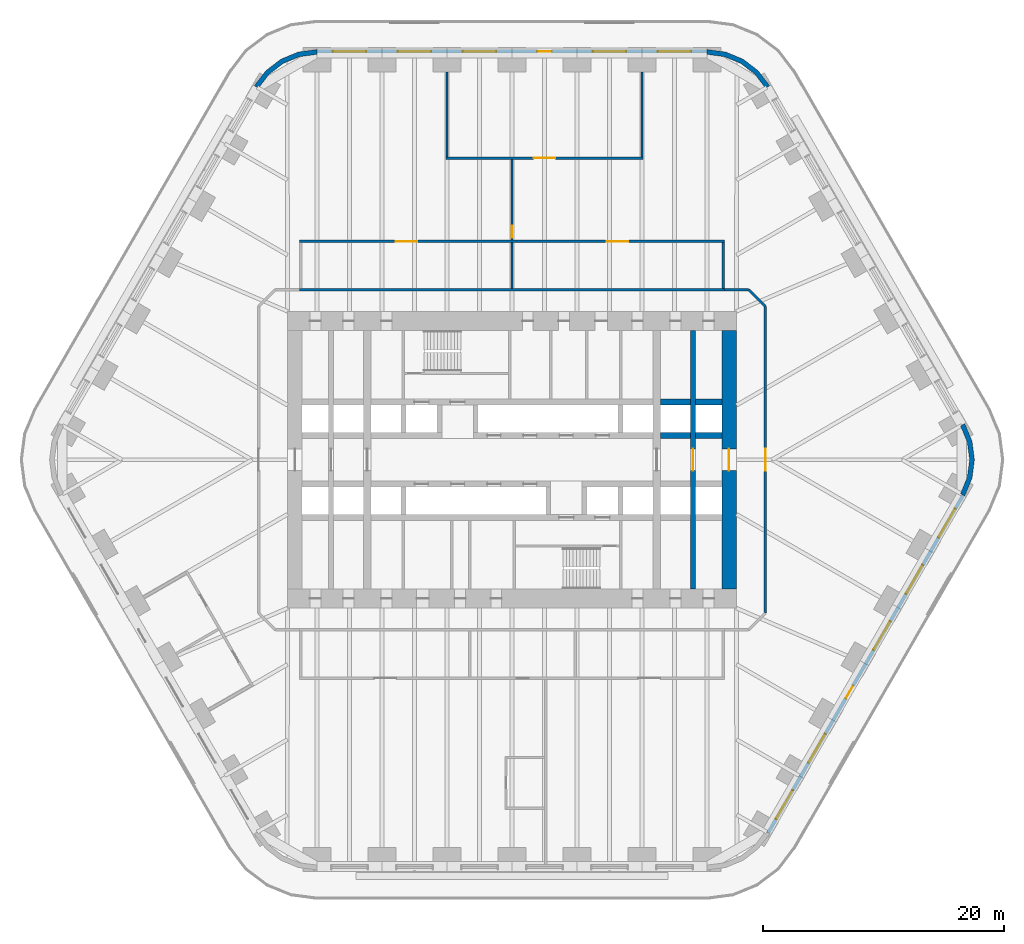
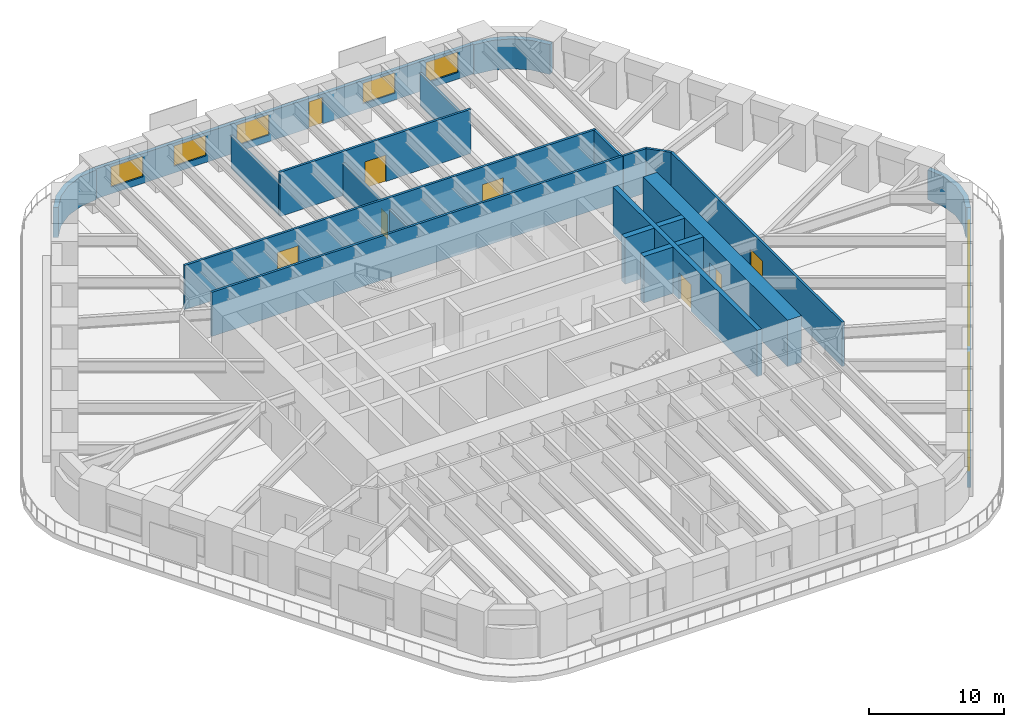
# One storey, part 19 of 23: 22 walls, 10 windows, 9 doors, 19 openings.
"""IFC4 building model written with IfcOpenShell, lengths in metres."""

from ifc_helpers import new_model, si_unit, direction, frame, frame_2d, origin, place, context, subcontext, project, spatial, polyline, rectangle, outline, extrude, material, layer, layer_set, type_object, element, fill, save


model = new_model("IFC4")

# Units and contexts
model_context = context("Model", 3, precision=1e-05, world=origin(), true_north=direction((0.0, 1.0)))
body_context = subcontext(model_context, "Body", "Model", "MODEL_VIEW")
ifc_project = project(units=[si_unit("LENGTHUNIT", "METRE"), si_unit("AREAUNIT", "SQUARE_METRE"), si_unit("VOLUMEUNIT", "CUBIC_METRE"), si_unit("PLANEANGLEUNIT", "RADIAN"), si_unit("MASSUNIT", "GRAM", prefix="KILO")], contexts=[model_context])

# Site, building, storey
site_placement = place(None, origin())
site = spatial("IfcSite", under=ifc_project, at=site_placement, CompositionType="ELEMENT")
building_placement = place(site_placement, origin())
building = spatial("IfcBuilding", under=site, at=building_placement, Name="Tarfa Lantern Tower", CompositionType="ELEMENT")
storey_placement = place(building_placement, frame((0.0, 0.0, 36.10009765625)))
storey = spatial("IfcBuildingStorey", under=building, at=storey_placement, Name="L07", CompositionType="ELEMENT", Elevation=36.10009765625)

# Wall, openings, door, windows
ifc_material_1 = material(Name="Limestone cladding on blockwork", Category="masonry")
ifc_layer_1 = layer(ifc_material_1, 0.300048828125)
ifc_layer_set_1 = layer_set([ifc_layer_1], Name="EW1 STONE-CLAD WALL 300")
wall_type_1 = type_object("IfcWallType", Name="EW1 STONE-CLAD WALL 300", PredefinedType="SOLIDWALL", material=ifc_layer_set_1)
wall_1_placement = place(storey_placement, frame((16.165771484375, 33.85009765625, 0.0), z_axis=(0.0, 0.0, 1.0), x_axis=(-1.0, 0.0, 0.0)))
wall_1 = element("IfcWall", 1, at=wall_1_placement, inside=storey, type_object=wall_type_1, Name="Stone wall N", PredefinedType="SOLIDWALL", context=body_context, shape_type="SweptSolid", body=[
    extrude(rectangle(XDim=32.33154296875, YDim=0.300048828125, at=frame_2d((16.165771484375, 0.0))), origin(), (0.0, 0.0, 1.0), 2.699951171875),
])
opening_1_placement = place(wall_1_placement, frame((1.3193359375, 0.0, 0.60009765625)))
opening_1 = element("IfcOpeningElement", 2, at=opening_1_placement, cuts=wall_1, Name="Opening W2", PredefinedType="OPENING", context=body_context, shape_type="SweptSolid", body=[
    extrude(rectangle(XDim=2.75, YDim=1.85009765625, at=frame_2d((1.375, 0.925048828125))), frame((0.0, 0.159912109375, 0.0), z_axis=(0.0, -1.0, 0.0), x_axis=(1.0, 0.0, 0.0)), (0.0, 0.0, 1.0), 0.320068359375),
])
opening_2_placement = place(wall_1_placement, frame((6.7080078125, 0.0, 0.60009765625)))
opening_2 = element("IfcOpeningElement", 3, at=opening_2_placement, cuts=wall_1, Name="Opening W2", PredefinedType="OPENING", context=body_context, shape_type="SweptSolid", body=[
    extrude(rectangle(XDim=2.75, YDim=1.85009765625, at=frame_2d((1.375, 0.925048828125))), frame((0.0, 0.159912109375, 0.0), z_axis=(0.0, -1.0, 0.0), x_axis=(1.0, 0.0, 0.0)), (0.0, 0.0, 1.0), 0.320068359375),
])
opening_3_placement = place(wall_1_placement, frame((12.87158203125, 0.0, 0.0)))
opening_3 = element("IfcOpeningElement", 4, at=opening_3_placement, cuts=wall_1, Name="Opening D41", PredefinedType="OPENING", context=body_context, shape_type="SweptSolid", body=[
    extrude(rectangle(XDim=1.199951171875, YDim=2.39990234375, at=frame_2d((0.60009765625, 1.199951171875))), frame((0.0, 0.159912109375, 0.0), z_axis=(0.0, -1.0, 0.0), x_axis=(1.0, 0.0, 0.0)), (0.0, 0.0, 1.0), 0.320068359375),
])
opening_4_placement = place(wall_1_placement, frame((17.485107421875, 0.0, 0.60009765625)))
opening_4 = element("IfcOpeningElement", 5, at=opening_4_placement, cuts=wall_1, Name="Opening W2", PredefinedType="OPENING", context=body_context, shape_type="SweptSolid", body=[
    extrude(rectangle(XDim=2.75, YDim=1.85009765625, at=frame_2d((1.375, 0.925048828125))), frame((0.0, 0.159912109375, 0.0), z_axis=(0.0, -1.0, 0.0), x_axis=(1.0, 0.0, 0.0)), (0.0, 0.0, 1.0), 0.320068359375),
])
opening_5_placement = place(wall_1_placement, frame((22.873779296875, 0.0, 0.60009765625)))
opening_5 = element("IfcOpeningElement", 6, at=opening_5_placement, cuts=wall_1, Name="Opening W2", PredefinedType="OPENING", context=body_context, shape_type="SweptSolid", body=[
    extrude(rectangle(XDim=2.75, YDim=1.85009765625, at=frame_2d((1.375, 0.925048828125))), frame((0.0, 0.159912109375, 0.0), z_axis=(0.0, -1.0, 0.0), x_axis=(1.0, 0.0, 0.0)), (0.0, 0.0, 1.0), 0.320068359375),
])
opening_6_placement = place(wall_1_placement, frame((28.26220703125, 0.0, 0.60009765625)))
opening_6 = element("IfcOpeningElement", 7, at=opening_6_placement, cuts=wall_1, Name="Opening W2", PredefinedType="OPENING", context=body_context, shape_type="SweptSolid", body=[
    extrude(rectangle(XDim=2.75, YDim=1.85009765625, at=frame_2d((1.375, 0.925048828125))), frame((0.0, 0.159912109375, 0.0), z_axis=(0.0, -1.0, 0.0), x_axis=(1.0, 0.0, 0.0)), (0.0, 0.0, 1.0), 0.320068359375),
])
ifc_material_2 = material(Name="Aluminium framed glazed door", Category="aluminium")
door_type_1 = type_object("IfcDoorType", Name="BE3 BALCONY DOOR 1200x2400", OperationType="SINGLE_SWING_RIGHT", PredefinedType="DOOR", material=ifc_material_2)
door_1_placement = place(opening_3_placement, origin())
door_1 = element("IfcDoor", 8, at=door_1_placement, inside=storey, type_object=door_type_1, Name="Balcony door N", OperationType="SINGLE_SWING_RIGHT", OverallHeight=2.39990234375, OverallWidth=1.199951171875, PredefinedType="DOOR", context=body_context, shape_type="SweptSolid", body=[
    extrude(rectangle(XDim=1.199951171875, YDim=2.39990234375, at=frame_2d((0.60009765625, 1.199951171875))), frame((0.0, 0.02490234375, 0.0), z_axis=(0.0, -1.0, 0.0), x_axis=(1.0, 0.0, 0.0)), (0.0, 0.0, 1.0), 0.050048828125),
])
fill(opening_3, door_1)
ifc_material_3 = material(Name="Aluminium frame, double glazed", Category="aluminium")
window_type = type_object("IfcWindowType", Name="W2 FULL-HEIGHT GLAZING 2750x1850", PartitioningType="SINGLE_PANEL", PredefinedType="WINDOW", material=ifc_material_3)
window_1_placement = place(opening_1_placement, origin())
window_1 = element("IfcWindow", 9, at=window_1_placement, inside=storey, type_object=window_type, Name="Window N 1", OverallHeight=1.85009765625, OverallWidth=2.75, PartitioningType="SINGLE_PANEL", PredefinedType="WINDOW", context=body_context, shape_type="SweptSolid", body=[
    extrude(rectangle(XDim=2.75, YDim=1.85009765625, at=frame_2d((1.375, 0.925048828125))), frame((0.0, 0.030029296875, 0.0), z_axis=(0.0, -1.0, 0.0), x_axis=(1.0, 0.0, 0.0)), (0.0, 0.0, 1.0), 0.06005859375),
])
fill(opening_1, window_1)
window_2_placement = place(opening_2_placement, origin())
window_2 = element("IfcWindow", 10, at=window_2_placement, inside=storey, type_object=window_type, Name="Window N 2", OverallHeight=1.85009765625, OverallWidth=2.75, PartitioningType="SINGLE_PANEL", PredefinedType="WINDOW", context=body_context, shape_type="SweptSolid", body=[
    extrude(rectangle(XDim=2.75, YDim=1.85009765625, at=frame_2d((1.375, 0.925048828125))), frame((0.0, 0.030029296875, 0.0), z_axis=(0.0, -1.0, 0.0), x_axis=(1.0, 0.0, 0.0)), (0.0, 0.0, 1.0), 0.06005859375),
])
fill(opening_2, window_2)
window_3_placement = place(opening_4_placement, origin())
window_3 = element("IfcWindow", 11, at=window_3_placement, inside=storey, type_object=window_type, Name="Window N 4", OverallHeight=1.85009765625, OverallWidth=2.75, PartitioningType="SINGLE_PANEL", PredefinedType="WINDOW", context=body_context, shape_type="SweptSolid", body=[
    extrude(rectangle(XDim=2.75, YDim=1.85009765625, at=frame_2d((1.375, 0.925048828125))), frame((0.0, 0.030029296875, 0.0), z_axis=(0.0, -1.0, 0.0), x_axis=(1.0, 0.0, 0.0)), (0.0, 0.0, 1.0), 0.06005859375),
])
fill(opening_4, window_3)
window_4_placement = place(opening_5_placement, origin())
window_4 = element("IfcWindow", 12, at=window_4_placement, inside=storey, type_object=window_type, Name="Window N 5", OverallHeight=1.85009765625, OverallWidth=2.75, PartitioningType="SINGLE_PANEL", PredefinedType="WINDOW", context=body_context, shape_type="SweptSolid", body=[
    extrude(rectangle(XDim=2.75, YDim=1.85009765625, at=frame_2d((1.375, 0.925048828125))), frame((0.0, 0.030029296875, 0.0), z_axis=(0.0, -1.0, 0.0), x_axis=(1.0, 0.0, 0.0)), (0.0, 0.0, 1.0), 0.06005859375),
])
fill(opening_5, window_4)
window_5_placement = place(opening_6_placement, origin())
window_5 = element("IfcWindow", 13, at=window_5_placement, inside=storey, type_object=window_type, Name="Window N 6", OverallHeight=1.85009765625, OverallWidth=2.75, PartitioningType="SINGLE_PANEL", PredefinedType="WINDOW", context=body_context, shape_type="SweptSolid", body=[
    extrude(rectangle(XDim=2.75, YDim=1.85009765625, at=frame_2d((1.375, 0.925048828125))), frame((0.0, 0.030029296875, 0.0), z_axis=(0.0, -1.0, 0.0), x_axis=(1.0, 0.0, 0.0)), (0.0, 0.0, 1.0), 0.06005859375),
])
fill(opening_6, window_5)

wall_2_placement = place(storey_placement, frame((21.232177734375, -30.925048828125, 0.0), z_axis=(0.0, 0.0, 1.0), x_axis=(0.499999163675, 0.866025886636, 0.0)))
wall_2 = element("IfcWall", 14, at=wall_2_placement, inside=storey, type_object=wall_type_1, Name="Stone wall SE", PredefinedType="SOLIDWALL", context=body_context, shape_type="SweptSolid", body=[
    extrude(rectangle(XDim=32.33154296875, YDim=0.300048828125, at=frame_2d((16.165771484375, 0.0))), origin(), (0.0, 0.0, 1.0), 2.699951171875),
])
opening_7_placement = place(wall_2_placement, frame((1.3193359375, 0.0, 0.60009765625)))
opening_7 = element("IfcOpeningElement", 15, at=opening_7_placement, cuts=wall_2, Name="Opening W2", PredefinedType="OPENING", context=body_context, shape_type="SweptSolid", body=[
    extrude(rectangle(XDim=2.75, YDim=1.85009765625, at=frame_2d((1.375, 0.925048828125))), frame((0.0, 0.159912109375, 0.0), z_axis=(0.0, -1.0, 0.0), x_axis=(1.0, 0.0, 0.0)), (0.0, 0.0, 1.0), 0.320068359375),
])
opening_8_placement = place(wall_2_placement, frame((6.7080078125, 0.0, 0.60009765625)))
opening_8 = element("IfcOpeningElement", 16, at=opening_8_placement, cuts=wall_2, Name="Opening W2", PredefinedType="OPENING", context=body_context, shape_type="SweptSolid", body=[
    extrude(rectangle(XDim=2.75, YDim=1.85009765625, at=frame_2d((1.375, 0.925048828125))), frame((0.0, 0.159912109375, 0.0), z_axis=(0.0, -1.0, 0.0), x_axis=(1.0, 0.0, 0.0)), (0.0, 0.0, 1.0), 0.320068359375),
])
opening_9_placement = place(wall_2_placement, frame((12.87158203125, 0.0, 0.0)))
opening_9 = element("IfcOpeningElement", 17, at=opening_9_placement, cuts=wall_2, Name="Opening D42", PredefinedType="OPENING", context=body_context, shape_type="SweptSolid", body=[
    extrude(rectangle(XDim=1.199951171875, YDim=2.39990234375, at=frame_2d((0.60009765625, 1.199951171875))), frame((0.0, 0.159912109375, 0.0), z_axis=(0.0, -1.0, 0.0), x_axis=(1.0, 0.0, 0.0)), (0.0, 0.0, 1.0), 0.320068359375),
])
opening_10_placement = place(wall_2_placement, frame((17.485107421875, 0.0, 0.60009765625)))
opening_10 = element("IfcOpeningElement", 18, at=opening_10_placement, cuts=wall_2, Name="Opening W2", PredefinedType="OPENING", context=body_context, shape_type="SweptSolid", body=[
    extrude(rectangle(XDim=2.75, YDim=1.85009765625, at=frame_2d((1.375, 0.925048828125))), frame((0.0, 0.159912109375, 0.0), z_axis=(0.0, -1.0, 0.0), x_axis=(1.0, 0.0, 0.0)), (0.0, 0.0, 1.0), 0.320068359375),
])
opening_11_placement = place(wall_2_placement, frame((22.873779296875, 0.0, 0.60009765625)))
opening_11 = element("IfcOpeningElement", 19, at=opening_11_placement, cuts=wall_2, Name="Opening W2", PredefinedType="OPENING", context=body_context, shape_type="SweptSolid", body=[
    extrude(rectangle(XDim=2.75, YDim=1.85009765625, at=frame_2d((1.375, 0.925048828125))), frame((0.0, 0.159912109375, 0.0), z_axis=(0.0, -1.0, 0.0), x_axis=(1.0, 0.0, 0.0)), (0.0, 0.0, 1.0), 0.320068359375),
])
opening_12_placement = place(wall_2_placement, frame((28.26220703125, 0.0, 0.60009765625)))
opening_12 = element("IfcOpeningElement", 20, at=opening_12_placement, cuts=wall_2, Name="Opening W2", PredefinedType="OPENING", context=body_context, shape_type="SweptSolid", body=[
    extrude(rectangle(XDim=2.75, YDim=1.85009765625, at=frame_2d((1.375, 0.925048828125))), frame((0.0, 0.159912109375, 0.0), z_axis=(0.0, -1.0, 0.0), x_axis=(1.0, 0.0, 0.0)), (0.0, 0.0, 1.0), 0.320068359375),
])
door_2_placement = place(opening_9_placement, origin())
door_2 = element("IfcDoor", 21, at=door_2_placement, inside=storey, type_object=door_type_1, Name="Balcony door SE", OperationType="SINGLE_SWING_RIGHT", OverallHeight=2.39990234375, OverallWidth=1.199951171875, PredefinedType="DOOR", context=body_context, shape_type="SweptSolid", body=[
    extrude(rectangle(XDim=1.199951171875, YDim=2.39990234375, at=frame_2d((0.60009765625, 1.199951171875))), frame((0.0, 0.02490234375, 0.0), z_axis=(0.0, -1.0, 0.0), x_axis=(1.0, 0.0, 0.0)), (0.0, 0.0, 1.0), 0.050048828125),
])
fill(opening_9, door_2)
window_6_placement = place(opening_7_placement, origin())
window_6 = element("IfcWindow", 22, at=window_6_placement, inside=storey, type_object=window_type, Name="Window SE 1", OverallHeight=1.85009765625, OverallWidth=2.75, PartitioningType="SINGLE_PANEL", PredefinedType="WINDOW", context=body_context, shape_type="SweptSolid", body=[
    extrude(rectangle(XDim=2.75, YDim=1.85009765625, at=frame_2d((1.375, 0.925048828125))), frame((0.0, 0.030029296875, 0.0), z_axis=(0.0, -1.0, 0.0), x_axis=(1.0, 0.0, 0.0)), (0.0, 0.0, 1.0), 0.06005859375),
])
fill(opening_7, window_6)
window_7_placement = place(opening_8_placement, origin())
window_7 = element("IfcWindow", 23, at=window_7_placement, inside=storey, type_object=window_type, Name="Window SE 2", OverallHeight=1.85009765625, OverallWidth=2.75, PartitioningType="SINGLE_PANEL", PredefinedType="WINDOW", context=body_context, shape_type="SweptSolid", body=[
    extrude(rectangle(XDim=2.75, YDim=1.85009765625, at=frame_2d((1.375, 0.925048828125))), frame((0.0, 0.030029296875, 0.0), z_axis=(0.0, -1.0, 0.0), x_axis=(1.0, 0.0, 0.0)), (0.0, 0.0, 1.0), 0.06005859375),
])
fill(opening_8, window_7)
window_8_placement = place(opening_10_placement, origin())
window_8 = element("IfcWindow", 24, at=window_8_placement, inside=storey, type_object=window_type, Name="Window SE 4", OverallHeight=1.85009765625, OverallWidth=2.75, PartitioningType="SINGLE_PANEL", PredefinedType="WINDOW", context=body_context, shape_type="SweptSolid", body=[
    extrude(rectangle(XDim=2.75, YDim=1.85009765625, at=frame_2d((1.375, 0.925048828125))), frame((0.0, 0.030029296875, 0.0), z_axis=(0.0, -1.0, 0.0), x_axis=(1.0, 0.0, 0.0)), (0.0, 0.0, 1.0), 0.06005859375),
])
fill(opening_10, window_8)
window_9_placement = place(opening_11_placement, origin())
window_9 = element("IfcWindow", 25, at=window_9_placement, inside=storey, type_object=window_type, Name="Window SE 5", OverallHeight=1.85009765625, OverallWidth=2.75, PartitioningType="SINGLE_PANEL", PredefinedType="WINDOW", context=body_context, shape_type="SweptSolid", body=[
    extrude(rectangle(XDim=2.75, YDim=1.85009765625, at=frame_2d((1.375, 0.925048828125))), frame((0.0, 0.030029296875, 0.0), z_axis=(0.0, -1.0, 0.0), x_axis=(1.0, 0.0, 0.0)), (0.0, 0.0, 1.0), 0.06005859375),
])
fill(opening_11, window_9)
window_10_placement = place(opening_12_placement, origin())
window_10 = element("IfcWindow", 26, at=window_10_placement, inside=storey, type_object=window_type, Name="Window SE 6", OverallHeight=1.85009765625, OverallWidth=2.75, PartitioningType="SINGLE_PANEL", PredefinedType="WINDOW", context=body_context, shape_type="SweptSolid", body=[
    extrude(rectangle(XDim=2.75, YDim=1.85009765625, at=frame_2d((1.375, 0.925048828125))), frame((0.0, 0.030029296875, 0.0), z_axis=(0.0, -1.0, 0.0), x_axis=(1.0, 0.0, 0.0)), (0.0, 0.0, 1.0), 0.06005859375),
])
fill(opening_12, window_10)

# Walls
ifc_layer_2 = layer(ifc_material_1, 0.39990234375)
ifc_layer_set_2 = layer_set([ifc_layer_2], Name="EW2 CURVED STONE CORNER 400")
wall_type_2 = type_object("IfcWallType", Name="EW2 CURVED STONE CORNER 400", PredefinedType="SOLIDWALL", material=ifc_layer_set_2)
wall_3_placement = place(storey_placement, origin())
element("IfcWall", 27, at=wall_3_placement, inside=storey, type_object=wall_type_2, Name="Stone corner NE-N", PredefinedType="SOLIDWALL", context=body_context, shape_type="SweptSolid", body=[
    extrude(outline(polyline([(21.362060546875, 31.0), (20.408447265625, 32.24267578125), (19.165771484375, 33.196044921875), (17.71875, 33.795654296875), (16.165771484375, 34.0), (16.165771484375, 33.60009765625), (17.615234375, 33.4091796875), (18.9658203125, 32.849853515625), (20.12548828125, 31.959716796875), (21.015625, 30.800048828125), (21.362060546875, 31.0)])), origin(), (0.0, 0.0, 1.0), 2.699951171875),
])
wall_4_placement = place(storey_placement, origin())
element("IfcWall", 28, at=wall_4_placement, inside=storey, type_object=wall_type_2, Name="Stone corner N-NW", PredefinedType="SOLIDWALL", context=body_context, shape_type="SweptSolid", body=[
    extrude(outline(polyline([(-16.165771484375, 34.0), (-17.71875, 33.795654296875), (-19.165771484375, 33.196044921875), (-20.408447265625, 32.24267578125), (-21.362060546875, 31.0), (-21.015625, 30.800048828125), (-20.12548828125, 31.959716796875), (-18.9658203125, 32.849853515625), (-17.615234375, 33.4091796875), (-16.165771484375, 33.60009765625), (-16.165771484375, 34.0)])), origin(), (0.0, 0.0, 1.0), 2.699951171875),
])
wall_5_placement = place(storey_placement, origin())
element("IfcWall", 29, at=wall_5_placement, inside=storey, type_object=wall_type_2, Name="Stone corner SE-NE", PredefinedType="SOLIDWALL", context=body_context, shape_type="SweptSolid", body=[
    extrude(outline(polyline([(37.52783203125, -3.0), (38.127197265625, -1.552978515625), (38.33154296875, 0.0), (38.127197265625, 1.552978515625), (37.52783203125, 3.0), (37.181396484375, 2.800048828125), (37.74072265625, 1.449462890625), (37.931640625, 0.0), (37.74072265625, -1.449462890625), (37.181396484375, -2.800048828125), (37.52783203125, -3.0)])), origin(), (0.0, 0.0, 1.0), 2.699951171875),
])
ifc_material_4 = material(Name="Gypsum board on steel studs", Category="steel")
ifc_layer_3 = layer(ifc_material_4, 0.2099609375)
ifc_layer_set_3 = layer_set([ifc_layer_3], Name="IW2 ACOUSTIC PARTITION 200")
wall_type_3 = type_object("IfcWallType", Name="IW2 ACOUSTIC PARTITION 200", PredefinedType="PARTITIONING", material=ifc_layer_set_3)
wall_6_placement = place(storey_placement, frame((-17.60009765625, 14.10009765625, 0.0), z_axis=(0.0, 0.0, 1.0), x_axis=(1.0, 0.0, 0.0)))
element("IfcWall", 30, at=wall_6_placement, inside=storey, type_object=wall_type_3, Name="Partition", PredefinedType="PARTITIONING", context=body_context, shape_type="SweptSolid", body=[
    extrude(rectangle(XDim=35.2001953125, YDim=0.199951171875, at=frame_2d((17.60009765625, 0.0))), origin(), (0.0, 0.0, 1.0), 4.0),
])

# Wall, openings, doors
wall_7_placement = place(storey_placement, frame((-17.60009765625, 18.10009765625, 0.0), z_axis=(0.0, 0.0, 1.0), x_axis=(1.0, 0.0, 0.0)))
wall_7 = element("IfcWall", 31, at=wall_7_placement, inside=storey, type_object=wall_type_3, Name="Partition", PredefinedType="PARTITIONING", context=body_context, shape_type="SweptSolid", body=[
    extrude(rectangle(XDim=35.2001953125, YDim=0.199951171875, at=frame_2d((17.60009765625, 0.0))), origin(), (0.0, 0.0, 1.0), 4.0),
])
opening_13_placement = place(wall_7_placement, frame((7.949951171875, 0.0, 0.0)))
opening_13 = element("IfcOpeningElement", 32, at=opening_13_placement, cuts=wall_7, Name="Opening D32", PredefinedType="OPENING", context=body_context, shape_type="SweptSolid", body=[
    extrude(rectangle(XDim=1.800048828125, YDim=2.39990234375, at=frame_2d((0.89990234375, 1.199951171875))), frame((0.0, 0.10986328125, 0.0), z_axis=(0.0, -1.0, 0.0), x_axis=(1.0, 0.0, 0.0)), (0.0, 0.0, 1.0), 0.219970703125),
])
opening_14_placement = place(wall_7_placement, frame((25.449951171875, 0.0, 0.0)))
opening_14 = element("IfcOpeningElement", 33, at=opening_14_placement, cuts=wall_7, Name="Opening D33", PredefinedType="OPENING", context=body_context, shape_type="SweptSolid", body=[
    extrude(rectangle(XDim=1.800048828125, YDim=2.39990234375, at=frame_2d((0.89990234375, 1.199951171875))), frame((0.0, 0.10986328125, 0.0), z_axis=(0.0, -1.0, 0.0), x_axis=(1.0, 0.0, 0.0)), (0.0, 0.0, 1.0), 0.219970703125),
])
ifc_material_5 = material(Name="Timber door", Category="wood")
door_type_2 = type_object("IfcDoorType", Name="DR2 ROOM DOOR 1800x2400", OperationType="DOUBLE_DOOR_SINGLE_SWING", PredefinedType="DOOR", material=ifc_material_5)
door_3_placement = place(opening_13_placement, frame((1.800048828125, 0.0, 0.0), z_axis=(0.0, 0.0, 1.0), x_axis=(-1.0, 0.0, 0.0)))
door_3 = element("IfcDoor", 34, at=door_3_placement, inside=storey, type_object=door_type_2, Name="Meeting room door", OperationType="DOUBLE_DOOR_SINGLE_SWING", OverallHeight=2.39990234375, OverallWidth=1.800048828125, PredefinedType="DOOR", context=body_context, shape_type="SweptSolid", body=[
    extrude(rectangle(XDim=1.800048828125, YDim=2.39990234375, at=frame_2d((0.89990234375, 1.199951171875))), frame((0.0, 0.02490234375, 0.0), z_axis=(0.0, -1.0, 0.0), x_axis=(1.0, 0.0, 0.0)), (0.0, 0.0, 1.0), 0.050048828125),
])
fill(opening_13, door_3)
door_4_placement = place(opening_14_placement, frame((1.800048828125, 0.0, 0.0), z_axis=(0.0, 0.0, 1.0), x_axis=(-1.0, 0.0, 0.0)))
door_4 = element("IfcDoor", 35, at=door_4_placement, inside=storey, type_object=door_type_2, Name="Shift office door", OperationType="DOUBLE_DOOR_SINGLE_SWING", OverallHeight=2.39990234375, OverallWidth=1.800048828125, PredefinedType="DOOR", context=body_context, shape_type="SweptSolid", body=[
    extrude(rectangle(XDim=1.800048828125, YDim=2.39990234375, at=frame_2d((0.89990234375, 1.199951171875))), frame((0.0, 0.02490234375, 0.0), z_axis=(0.0, -1.0, 0.0), x_axis=(1.0, 0.0, 0.0)), (0.0, 0.0, 1.0), 0.050048828125),
])
fill(opening_14, door_4)

# Walls
wall_8_placement = place(storey_placement, frame((0.0, 14.199951171875, 0.0), z_axis=(0.0, 0.0, 1.0), x_axis=(0.0, 1.0, 0.0)))
element("IfcWall", 36, at=wall_8_placement, inside=storey, type_object=wall_type_3, Name="Partition", PredefinedType="PARTITIONING", context=body_context, shape_type="SweptSolid", body=[
    extrude(rectangle(XDim=3.800048828125, YDim=0.199951171875, at=frame_2d((1.89990234375, 0.0))), origin(), (0.0, 0.0, 1.0), 2.94384765625),
])
wall_9_placement = place(storey_placement, frame((17.5, 14.199951171875, 0.0), z_axis=(0.0, 0.0, 1.0), x_axis=(0.0, 1.0, 0.0)))
element("IfcWall", 37, at=wall_9_placement, inside=storey, type_object=wall_type_3, Name="Partition", PredefinedType="PARTITIONING", context=body_context, shape_type="SweptSolid", body=[
    extrude(rectangle(XDim=3.800048828125, YDim=0.199951171875, at=frame_2d((1.89990234375, 0.0))), origin(), (0.0, 0.0, 1.0), 4.0),
])

# Wall, opening, door
wall_10_placement = place(storey_placement, frame((10.877197265625, 25.0, 0.0), z_axis=(0.0, 0.0, 1.0), x_axis=(-1.0, 0.0, 0.0)))
wall_10 = element("IfcWall", 38, at=wall_10_placement, inside=storey, type_object=wall_type_3, Name="Partition", PredefinedType="PARTITIONING", context=body_context, shape_type="SweptSolid", body=[
    extrude(rectangle(XDim=16.36572265625, YDim=0.199951171875, at=frame_2d((8.182861328125, 0.0))), origin(), (0.0, 0.0, 1.0), 4.0),
])
opening_15_placement = place(wall_10_placement, frame((7.282958984375, 0.0, 0.0)))
opening_15 = element("IfcOpeningElement", 39, at=opening_15_placement, cuts=wall_10, Name="Opening D29", PredefinedType="OPENING", context=body_context, shape_type="SweptSolid", body=[
    extrude(rectangle(XDim=1.800048828125, YDim=2.39990234375, at=frame_2d((0.89990234375, 1.199951171875))), frame((0.0, 0.10986328125, 0.0), z_axis=(0.0, -1.0, 0.0), x_axis=(1.0, 0.0, 0.0)), (0.0, 0.0, 1.0), 0.219970703125),
])
door_5_placement = place(opening_15_placement, frame((1.800048828125, 0.0, 0.0), z_axis=(0.0, 0.0, 1.0), x_axis=(-1.0, 0.0, 0.0)))
door_5 = element("IfcDoor", 40, at=door_5_placement, inside=storey, type_object=door_type_2, Name="Operations control room door", OperationType="DOUBLE_DOOR_SINGLE_SWING", OverallHeight=2.39990234375, OverallWidth=1.800048828125, PredefinedType="DOOR", context=body_context, shape_type="SweptSolid", body=[
    extrude(rectangle(XDim=1.800048828125, YDim=2.39990234375, at=frame_2d((0.89990234375, 1.199951171875))), frame((0.0, 0.02490234375, 0.0), z_axis=(0.0, -1.0, 0.0), x_axis=(1.0, 0.0, 0.0)), (0.0, 0.0, 1.0), 0.050048828125),
])
fill(opening_15, door_5)

# Walls
for number, where, z_axis, x_axis, name in (
    (41, (10.777099609375, 25.10009765625, 0.0), (0.0, 0.0, 1.0), (0.0, 1.0, 0.0), "Partition"),
    (42, (-5.388671875, 25.10009765625, 0.0), (0.0, 0.0, 1.0), (0.0, 1.0, 0.0), "Partition"),
):
    element("IfcWall", number, at=place(storey_placement, frame(where, z_axis=z_axis, x_axis=x_axis)), inside=storey, type_object=wall_type_3, Name=name, PredefinedType="PARTITIONING", context=body_context, shape_type="SweptSolid", body=[
        extrude(rectangle(XDim=7.0498046875, YDim=0.199951171875, at=frame_2d((3.52490234375, 0.0))), origin(), (0.0, 0.0, 1.0), 2.94384765625),
    ])
wall_11_placement = place(storey_placement, frame((17.60009765625, 14.10009765625, 0.0), z_axis=(0.0, 0.0, 1.0), x_axis=(1.0, 0.0, 0.0)))
element("IfcWall", 43, at=wall_11_placement, inside=storey, type_object=wall_type_3, Name="Partition", PredefinedType="PARTITIONING", context=body_context, shape_type="SweptSolid", body=[
    extrude(rectangle(XDim=2.0, YDim=0.199951171875, at=frame_2d((1.0, 0.0))), origin(), (0.0, 0.0, 1.0), 4.0),
])
wall_12_placement = place(storey_placement, frame((19.60009765625, 14.10009765625, 0.0), z_axis=(0.0, 0.0, 1.0), x_axis=(0.707045124756, -0.707168432242, 0.0)))
element("IfcWall", 44, at=wall_12_placement, inside=storey, type_object=wall_type_3, Name="Partition", PredefinedType="PARTITIONING", context=body_context, shape_type="SweptSolid", body=[
    extrude(rectangle(XDim=1.97998046875, YDim=0.199951171875, at=frame_2d((0.989990234375, 0.0))), origin(), (0.0, 0.0, 1.0), 4.0),
])

# Wall, opening, door
wall_13_placement = place(storey_placement, frame((21.0, 12.699951171875, 0.0), z_axis=(0.0, 0.0, 1.0), x_axis=(0.0, -1.0, 0.0)))
wall_13 = element("IfcWall", 45, at=wall_13_placement, inside=storey, type_object=wall_type_3, Name="Partition", PredefinedType="PARTITIONING", context=body_context, shape_type="SweptSolid", body=[
    extrude(rectangle(XDim=25.39990234375, YDim=0.199951171875, at=frame_2d((12.699951171875, 0.0))), origin(), (0.0, 0.0, 1.0), 4.0),
])
opening_16_placement = place(wall_13_placement, frame((11.800048828125, 0.0, 0.0)))
opening_16 = element("IfcOpeningElement", 46, at=opening_16_placement, cuts=wall_13, Name="Opening D38", PredefinedType="OPENING", context=body_context, shape_type="SweptSolid", body=[
    extrude(rectangle(XDim=1.800048828125, YDim=2.39990234375, at=frame_2d((0.89990234375, 1.199951171875))), frame((0.0, 0.10986328125, 0.0), z_axis=(0.0, -1.0, 0.0), x_axis=(1.0, 0.0, 0.0)), (0.0, 0.0, 1.0), 0.219970703125),
])
door_6_placement = place(opening_16_placement, origin())
door_6 = element("IfcDoor", 47, at=door_6_placement, inside=storey, type_object=door_type_2, Name="Corridor door", OperationType="DOUBLE_DOOR_SINGLE_SWING", OverallHeight=2.39990234375, OverallWidth=1.800048828125, PredefinedType="DOOR", context=body_context, shape_type="SweptSolid", body=[
    extrude(rectangle(XDim=1.800048828125, YDim=2.39990234375, at=frame_2d((0.89990234375, 1.199951171875))), frame((0.0, 0.02490234375, 0.0), z_axis=(0.0, -1.0, 0.0), x_axis=(1.0, 0.0, 0.0)), (0.0, 0.0, 1.0), 0.050048828125),
])
fill(opening_16, door_6)

wall_14_placement = place(storey_placement, frame((0.0, 18.199951171875, 0.0), z_axis=(0.0, 0.0, 1.0), x_axis=(0.0, 1.0, 0.0)))
wall_14 = element("IfcWall", 48, at=wall_14_placement, inside=storey, type_object=wall_type_3, Name="Partition", PredefinedType="PARTITIONING", context=body_context, shape_type="SweptSolid", body=[
    extrude(rectangle(XDim=6.699951171875, YDim=0.199951171875, at=frame_2d((3.35009765625, 0.0))), origin(), (0.0, 0.0, 1.0), 2.94384765625),
])
opening_17_placement = place(wall_14_placement, frame((0.199951171875, 0.0, 0.0)))
opening_17 = element("IfcOpeningElement", 49, at=opening_17_placement, cuts=wall_14, Name="Opening D40", PredefinedType="OPENING", context=body_context, shape_type="SweptSolid", body=[
    extrude(rectangle(XDim=1.0, YDim=2.199951171875, at=frame_2d((0.5, 1.10009765625))), frame((0.0, 0.10986328125, 0.0), z_axis=(0.0, -1.0, 0.0), x_axis=(1.0, 0.0, 0.0)), (0.0, 0.0, 1.0), 0.219970703125),
])
door_type_3 = type_object("IfcDoorType", Name="DR1 ROOM DOOR 1000x2200", OperationType="SINGLE_SWING_LEFT", PredefinedType="DOOR", material=ifc_material_5)
door_7_placement = place(opening_17_placement, frame((1.0, 0.0, 0.0), z_axis=(0.0, 0.0, 1.0), x_axis=(-1.0, 0.0, 0.0)))
door_7 = element("IfcDoor", 50, at=door_7_placement, inside=storey, type_object=door_type_3, Name="Zone door", OperationType="SINGLE_SWING_LEFT", OverallHeight=2.199951171875, OverallWidth=1.0, PredefinedType="DOOR", context=body_context, shape_type="SweptSolid", body=[
    extrude(rectangle(XDim=1.0, YDim=2.199951171875, at=frame_2d((0.5, 1.10009765625))), frame((0.0, 0.02490234375, 0.0), z_axis=(0.0, -1.0, 0.0), x_axis=(1.0, 0.0, 0.0)), (0.0, 0.0, 1.0), 0.050048828125),
])
fill(opening_17, door_7)

ifc_material_6 = material(Name="Concrete C80/95", Category="concrete")
ifc_layer_4 = layer(ifc_material_6, 1.199951171875)
ifc_layer_set_4 = layer_set([ifc_layer_4], Name="SW1 CORE WALL 1200")
wall_type_4 = type_object("IfcWallType", Name="SW1 CORE WALL 1200", PredefinedType="SHEAR", material=ifc_layer_set_4)
wall_15_placement = place(storey_placement, frame((18.0, -10.699951171875, 0.0), z_axis=(0.0, 0.0, 1.0), x_axis=(0.0, 1.0, 0.0)))
wall_15 = element("IfcWall", 51, at=wall_15_placement, inside=storey, type_object=wall_type_4, Name="Core wall E", PredefinedType="SHEAR", context=body_context, shape_type="SweptSolid", body=[
    extrude(rectangle(XDim=21.39990234375, YDim=1.199951171875, at=frame_2d((10.699951171875, 0.0))), origin(), (0.0, 0.0, 1.0), 4.199951171875),
])
opening_18_placement = place(wall_15_placement, frame((9.800048828125, 0.0, 0.0)))
opening_18 = element("IfcOpeningElement", 52, at=opening_18_placement, cuts=wall_15, Name="Opening D15", PredefinedType="OPENING", context=body_context, shape_type="SweptSolid", body=[
    extrude(rectangle(XDim=1.800048828125, YDim=2.39990234375, at=frame_2d((0.89990234375, 1.199951171875))), frame((0.0, 0.60986328125, 0.0), z_axis=(0.0, -1.0, 0.0), x_axis=(1.0, 0.0, 0.0)), (0.0, 0.0, 1.0), 1.219970703125),
])
ifc_material_7 = material(Name="Steel fire door", Category="steel")
door_type_4 = type_object("IfcDoorType", Name="DL1 LOBBY DOOR 1800x2400", OperationType="DOUBLE_DOOR_SINGLE_SWING", PredefinedType="DOOR", material=ifc_material_7)
door_8_placement = place(opening_18_placement, frame((1.800048828125, 0.0, 0.0), z_axis=(0.0, 0.0, 1.0), x_axis=(-1.0, 0.0, 0.0)))
door_8 = element("IfcDoor", 53, at=door_8_placement, inside=storey, type_object=door_type_4, Name="Lift lobby door", OperationType="DOUBLE_DOOR_SINGLE_SWING", OverallHeight=2.39990234375, OverallWidth=1.800048828125, PredefinedType="DOOR", context=body_context, shape_type="SweptSolid", body=[
    extrude(rectangle(XDim=1.800048828125, YDim=2.39990234375, at=frame_2d((0.89990234375, 1.199951171875))), frame((0.0, 0.02490234375, 0.0), z_axis=(0.0, -1.0, 0.0), x_axis=(1.0, 0.0, 0.0)), (0.0, 0.0, 1.0), 0.050048828125),
])
fill(opening_18, door_8)

# Walls
ifc_layer_5 = layer(ifc_material_6, 0.5)
ifc_layer_set_5 = layer_set([ifc_layer_5], Name="SW5 CORE WALL 500")
wall_type_5 = type_object("IfcWallType", Name="SW5 CORE WALL 500", PredefinedType="SHEAR", material=ifc_layer_set_5)
wall_16_placement = place(storey_placement, frame((12.300048828125, 2.0, 0.0), z_axis=(0.0, 0.0, 1.0), x_axis=(1.0, 0.0, 0.0)))
element("IfcWall", 54, at=wall_16_placement, inside=storey, type_object=wall_type_5, Name="Core wall lobby east N", PredefinedType="SHEAR", context=body_context, shape_type="SweptSolid", body=[
    extrude(rectangle(XDim=2.5, YDim=0.5, at=frame_2d((1.25, 0.0))), origin(), (0.0, 0.0, 1.0), 4.199951171875),
])
wall_17_placement = place(storey_placement, frame((15.199951171875, 2.0, 0.0), z_axis=(0.0, 0.0, 1.0), x_axis=(1.0, 0.0, 0.0)))
element("IfcWall", 55, at=wall_17_placement, inside=storey, type_object=wall_type_5, Name="Core wall lobby east N", PredefinedType="SHEAR", context=body_context, shape_type="SweptSolid", body=[
    extrude(rectangle(XDim=2.199951171875, YDim=0.5, at=frame_2d((1.10009765625, 0.0))), origin(), (0.0, 0.0, 1.0), 4.199951171875),
])
wall_18_placement = place(storey_placement, frame((12.300048828125, 4.800048828125, 0.0), z_axis=(0.0, 0.0, 1.0), x_axis=(1.0, 0.0, 0.0)))
element("IfcWall", 56, at=wall_18_placement, inside=storey, type_object=wall_type_5, Name="Core wall rear N", PredefinedType="SHEAR", context=body_context, shape_type="SweptSolid", body=[
    extrude(rectangle(XDim=2.5, YDim=0.5, at=frame_2d((1.25, 0.0))), origin(), (0.0, 0.0, 1.0), 4.199951171875),
])
wall_19_placement = place(storey_placement, frame((15.199951171875, 4.800048828125, 0.0), z_axis=(0.0, 0.0, 1.0), x_axis=(1.0, 0.0, 0.0)))
element("IfcWall", 57, at=wall_19_placement, inside=storey, type_object=wall_type_5, Name="Core wall rear N", PredefinedType="SHEAR", context=body_context, shape_type="SweptSolid", body=[
    extrude(rectangle(XDim=2.199951171875, YDim=0.5, at=frame_2d((1.10009765625, 0.0))), origin(), (0.0, 0.0, 1.0), 4.199951171875),
])

# Wall, opening, door
ifc_layer_6 = layer(ifc_material_6, 0.39990234375)
ifc_layer_set_6 = layer_set([ifc_layer_6], Name="SW6 CORE WALL 400")
wall_type_6 = type_object("IfcWallType", Name="SW6 CORE WALL 400", PredefinedType="SHEAR", material=ifc_layer_set_6)
wall_20_placement = place(storey_placement, frame((15.0, -10.699951171875, 0.0), z_axis=(0.0, 0.0, 1.0), x_axis=(0.0, 1.0, 0.0)))
wall_20 = element("IfcWall", 58, at=wall_20_placement, inside=storey, type_object=wall_type_6, Name="Core wall cross 15 m east", PredefinedType="SHEAR", context=body_context, shape_type="SweptSolid", body=[
    extrude(rectangle(XDim=21.39990234375, YDim=0.39990234375, at=frame_2d((10.699951171875, 0.0))), origin(), (0.0, 0.0, 1.0), 4.199951171875),
])
opening_19_placement = place(wall_20_placement, frame((9.800048828125, 0.0, 0.0)))
opening_19 = element("IfcOpeningElement", 59, at=opening_19_placement, cuts=wall_20, Name="Opening D26", PredefinedType="OPENING", context=body_context, shape_type="SweptSolid", body=[
    extrude(rectangle(XDim=1.800048828125, YDim=2.39990234375, at=frame_2d((0.89990234375, 1.199951171875))), frame((0.0, 0.2099609375, 0.0), z_axis=(0.0, -1.0, 0.0), x_axis=(1.0, 0.0, 0.0)), (0.0, 0.0, 1.0), 0.419921875),
])
door_9_placement = place(opening_19_placement, origin())
door_9 = element("IfcDoor", 60, at=door_9_placement, inside=storey, type_object=door_type_4, Name="Lift lobby door", OperationType="DOUBLE_DOOR_SINGLE_SWING", OverallHeight=2.39990234375, OverallWidth=1.800048828125, PredefinedType="DOOR", context=body_context, shape_type="SweptSolid", body=[
    extrude(rectangle(XDim=1.800048828125, YDim=2.39990234375, at=frame_2d((0.89990234375, 1.199951171875))), frame((0.0, 0.02490234375, 0.0), z_axis=(0.0, -1.0, 0.0), x_axis=(1.0, 0.0, 0.0)), (0.0, 0.0, 1.0), 0.050048828125),
])
fill(opening_19, door_9)

save(model, "model.ifc")
